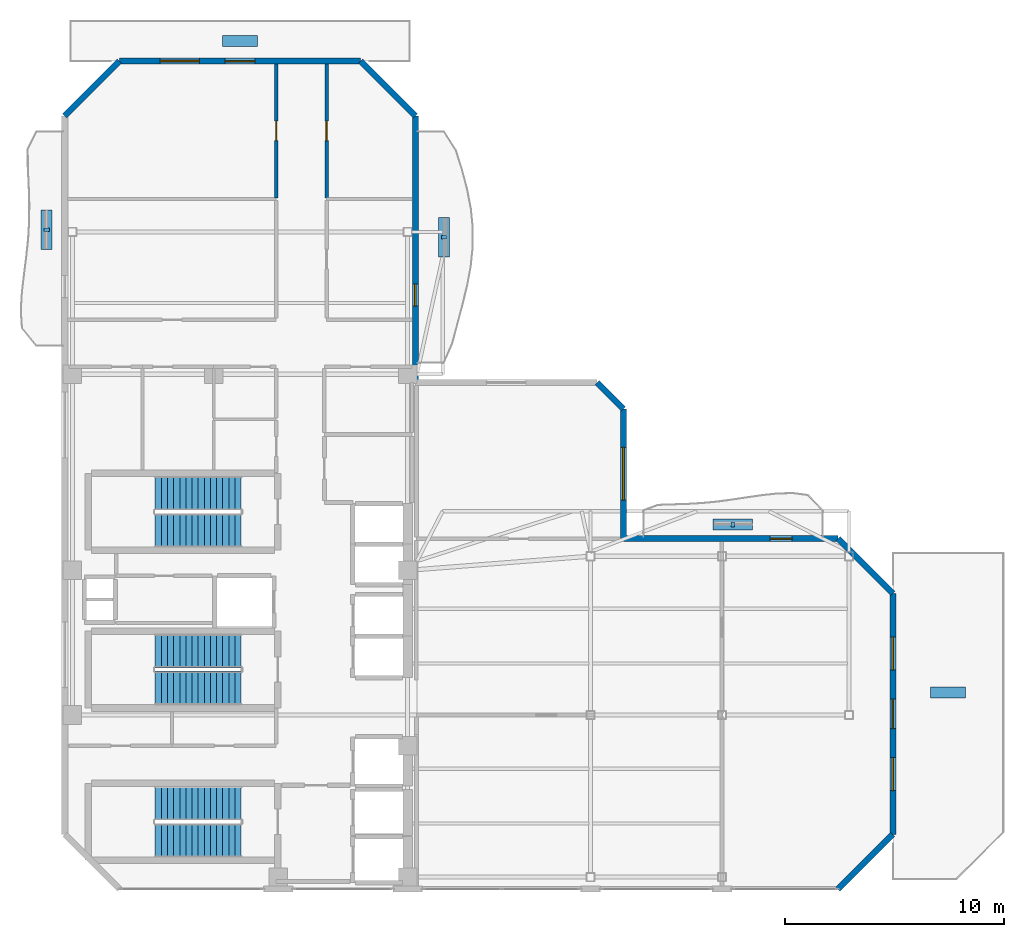
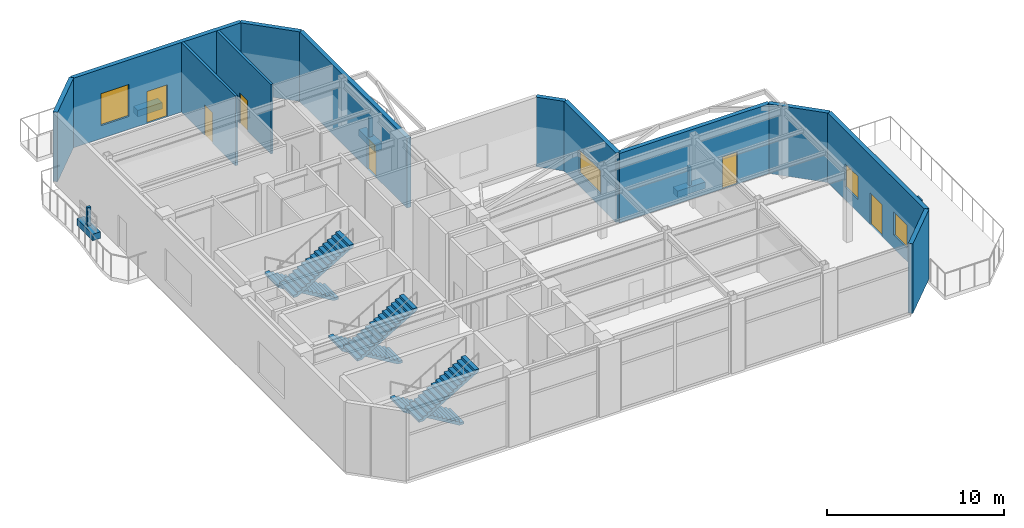
# One storey, part 11 of 14: 12 walls, 8 discrete accessories, 6 doors, 6 stair flights, 4 windows, 10 openings, 3 elements without a shape of their own.
"""IFC4 building model written with IfcOpenShell, lengths in metres."""

from ifc_helpers import new_model, si_unit, direction, frame, frame_2d, origin, origin_2d, place, context, subcontext, project, spatial, polyline, rectangle, outline, extrude, material, layer, layer_set, type_object, element, fill, aggregate, save


model = new_model("IFC4")

# Units and contexts
model_context = context("Model", 3, precision=1e-05, world=origin(), true_north=direction((0.0, 1.0)))
body_context = subcontext(model_context, "Body", "Model", "MODEL_VIEW")
ifc_project = project(units=[si_unit("LENGTHUNIT", "METRE"), si_unit("AREAUNIT", "SQUARE_METRE"), si_unit("VOLUMEUNIT", "CUBIC_METRE"), si_unit("PLANEANGLEUNIT", "RADIAN"), si_unit("MASSUNIT", "GRAM", prefix="KILO")], contexts=[model_context])

# Site, building, storey
site_placement = place(None, origin())
site = spatial("IfcSite", under=ifc_project, at=site_placement, CompositionType="ELEMENT")
building_placement = place(site_placement, origin())
building = spatial("IfcBuilding", under=site, at=building_placement, Name="Mawjaban Terraces University", CompositionType="ELEMENT")
storey_placement = place(building_placement, frame((0.0, 0.0, 243.199951171875)))
storey = spatial("IfcBuildingStorey", under=building, at=storey_placement, Name="L59", CompositionType="ELEMENT", Elevation=243.199951171875)

# Wall, opening, door
ifc_material_1 = material(Name="Fire-rated gypsum board on steel stud", Category="steel")
ifc_layer_1 = layer(ifc_material_1, 0.159912109375)
ifc_layer_set_1 = layer_set([ifc_layer_1], Name="Fire-rated gypsum board on steel stud")
wall_type_1 = type_object("IfcWallType", Name="CorridorPartition_160", PredefinedType="PARTITIONING", material=ifc_layer_set_1)
wall_1_placement = place(storey_placement, frame((31.64990234375, 37.6669921875, 0.0), z_axis=(0.0, 0.0, 1.0), x_axis=(0.0, -1.0, 0.0)))
wall_1 = element("IfcWall", 1, at=wall_1_placement, inside=storey, type_object=wall_type_1, Name="L59 Sky Lobby North Promenade Partition 29", PredefinedType="PARTITIONING", context=body_context, shape_type="SweptSolid", body=[
    extrude(rectangle(XDim=6.10888671875, YDim=0.159912109375, at=frame_2d((3.054443359375, 0.0))), origin(), (0.0, 0.0, 1.0), 4.7900390625),
])
opening_1_placement = place(wall_1_placement, frame((2.60498046875, 0.0, 0.0)))
opening_1 = element("IfcOpeningElement", 2, at=opening_1_placement, cuts=wall_1, Name="Opening ID-090", PredefinedType="OPENING", context=body_context, shape_type="SweptSolid", body=[
    extrude(rectangle(XDim=0.89990234375, YDim=2.10009765625, at=frame_2d((0.449951171875, 1.050048828125))), frame((0.0, 0.08984375, 0.0), z_axis=(0.0, -1.0, 0.0), x_axis=(1.0, 0.0, 0.0)), (0.0, 0.0, 1.0), 0.179931640625),
])
ifc_material_2 = material(Name="Powder-coated steel frame and solid acoustic timber leaf", Category="steel")
door_type_1 = type_object("IfcDoorType", Name="OfficeDoor_900x2100", OperationType="NOTDEFINED", PredefinedType="DOOR", material=ifc_material_2)
door_1_placement = place(opening_1_placement, origin())
door_1 = element("IfcDoor", 3, at=door_1_placement, inside=storey, type_object=door_type_1, Name="L59 Research Fellows Tea Pantry Door", OperationType="SINGLE_SWING_LEFT", OverallHeight=2.10009765625, OverallWidth=0.89990234375, PredefinedType="DOOR", context=body_context, shape_type="SweptSolid", body=[
    extrude(rectangle(XDim=0.89990234375, YDim=2.10009765625, at=frame_2d((0.449951171875, 1.050048828125))), frame((0.0, 0.02490234375, 0.0), z_axis=(0.0, -1.0, 0.0), x_axis=(1.0, 0.0, 0.0)), (0.0, 0.0, 1.0), 0.050048828125),
])
fill(opening_1, door_1)

wall_2_placement = place(storey_placement, frame((33.949951171875, 31.55810546875, 0.0), z_axis=(0.0, 0.0, 1.0), x_axis=(0.0, 1.0, 0.0)))
wall_2 = element("IfcWall", 4, at=wall_2_placement, inside=storey, type_object=wall_type_1, Name="L59 Sky Lobby North Promenade Partition 33", PredefinedType="PARTITIONING", context=body_context, shape_type="SweptSolid", body=[
    extrude(rectangle(XDim=6.10888671875, YDim=0.159912109375, at=frame_2d((3.054443359375, 0.0))), origin(), (0.0, 0.0, 1.0), 4.7900390625),
])
opening_2_placement = place(wall_2_placement, frame((2.60498046875, 0.0, 0.0)))
opening_2 = element("IfcOpeningElement", 5, at=opening_2_placement, cuts=wall_2, Name="Opening ID-090", PredefinedType="OPENING", context=body_context, shape_type="SweptSolid", body=[
    extrude(rectangle(XDim=0.89990234375, YDim=2.10009765625, at=frame_2d((0.449951171875, 1.050048828125))), frame((0.0, 0.08984375, 0.0), z_axis=(0.0, -1.0, 0.0), x_axis=(1.0, 0.0, 0.0)), (0.0, 0.0, 1.0), 0.179931640625),
])
door_2_placement = place(opening_2_placement, origin())
door_2 = element("IfcDoor", 6, at=door_2_placement, inside=storey, type_object=door_type_1, Name="L59 Academic Fellows Office Door", OperationType="SINGLE_SWING_LEFT", OverallHeight=2.10009765625, OverallWidth=0.89990234375, PredefinedType="DOOR", context=body_context, shape_type="SweptSolid", body=[
    extrude(rectangle(XDim=0.89990234375, YDim=2.10009765625, at=frame_2d((0.449951171875, 1.050048828125))), frame((0.0, 0.02490234375, 0.0), z_axis=(0.0, -1.0, 0.0), x_axis=(1.0, 0.0, 0.0)), (0.0, 0.0, 1.0), 0.050048828125),
])
fill(opening_2, door_2)

# Wall
ifc_material_3 = material(Name="Insulated terracotta rainscreen on concrete backup C40/50", Category="masonry")
ifc_layer_2 = layer(ifc_material_3, 0.27490234375)
ifc_layer_set_2 = layer_set([ifc_layer_2], Name="Insulated terracotta rainscreen on concrete backup C40/50")
wall_type_2 = type_object("IfcWallType", Name="ExtTerracottaWall_275", PredefinedType="SOLIDWALL", material=ifc_layer_set_2)
wall_3_placement = place(storey_placement, frame((57.300048828125, 0.0, 0.0), z_axis=(0.0, 0.0, 1.0), x_axis=(0.707106781187, 0.707106781187, 0.0)))
element("IfcWall", 7, at=wall_3_placement, inside=storey, type_object=wall_type_2, Name="L59 Exterior Terracotta Wall 2", PredefinedType="SOLIDWALL", context=body_context, shape_type="SweptSolid", body=[
    extrude(rectangle(XDim=3.53564453125, YDim=0.27490234375, at=frame_2d((1.767822265625, 0.0))), origin(), (0.0, 0.0, 1.0), 4.7900390625),
])

# Wall, openings, door, windows
wall_4_placement = place(storey_placement, frame((59.800048828125, 2.5, 0.0), z_axis=(0.0, 0.0, 1.0), x_axis=(0.0, 1.0, 0.0)))
wall_4 = element("IfcWall", 8, at=wall_4_placement, inside=storey, type_object=wall_type_2, Name="L59 Exterior Terracotta Wall 3", PredefinedType="SOLIDWALL", context=body_context, shape_type="SweptSolid", body=[
    extrude(rectangle(XDim=11.0, YDim=0.27490234375, at=frame_2d((5.5, 0.0))), origin(), (0.0, 0.0, 1.0), 4.7900390625),
])
opening_3_placement = place(wall_4_placement, frame((4.824951171875, 0.0, 0.0)))
opening_3 = element("IfcOpeningElement", 9, at=opening_3_placement, cuts=wall_4, Name="Opening TD-135", PredefinedType="OPENING", context=body_context, shape_type="SweptSolid", body=[
    extrude(rectangle(XDim=1.35009765625, YDim=2.199951171875, at=frame_2d((0.675048828125, 1.10009765625))), frame((0.0, 0.1474609375, 0.0), z_axis=(0.0, -1.0, 0.0), x_axis=(1.0, 0.0, 0.0)), (0.0, 0.0, 1.0), 0.294921875),
])
opening_4_placement = place(wall_4_placement, frame((2.0, 0.0, 0.89990234375)))
opening_4 = element("IfcOpeningElement", 10, at=opening_4_placement, cuts=wall_4, Name="Opening W-02", PredefinedType="OPENING", context=body_context, shape_type="SweptSolid", body=[
    extrude(rectangle(XDim=1.5, YDim=1.60009765625, at=frame_2d((0.75, 0.800048828125))), frame((0.0, 0.1474609375, 0.0), z_axis=(0.0, -1.0, 0.0), x_axis=(1.0, 0.0, 0.0)), (0.0, 0.0, 1.0), 0.294921875),
])
opening_5_placement = place(wall_4_placement, frame((7.5, 0.0, 0.89990234375)))
opening_5 = element("IfcOpeningElement", 11, at=opening_5_placement, cuts=wall_4, Name="Opening W-02", PredefinedType="OPENING", context=body_context, shape_type="SweptSolid", body=[
    extrude(rectangle(XDim=1.5, YDim=1.60009765625, at=frame_2d((0.75, 0.800048828125))), frame((0.0, 0.1474609375, 0.0), z_axis=(0.0, -1.0, 0.0), x_axis=(1.0, 0.0, 0.0)), (0.0, 0.0, 1.0), 0.294921875),
])
ifc_material_4 = material(Name="Thermally broken anodised aluminium and laminated safety glass", Category="aluminium")
door_type_2 = type_object("IfcDoorType", Name="TerraceGlazedDoor_1350x2200", OperationType="NOTDEFINED", PredefinedType="DOOR", material=ifc_material_4)
door_3_placement = place(opening_3_placement, origin())
door_3 = element("IfcDoor", 12, at=door_3_placement, inside=storey, type_object=door_type_2, Name="L59 Terrace Access Door TER-L59-EAST", OperationType="SINGLE_SWING_LEFT", OverallHeight=2.199951171875, OverallWidth=1.35009765625, PredefinedType="DOOR", context=body_context, shape_type="SweptSolid", body=[
    extrude(rectangle(XDim=1.35009765625, YDim=2.199951171875, at=frame_2d((0.675048828125, 1.10009765625))), frame((0.0, 0.02490234375, 0.0), z_axis=(0.0, -1.0, 0.0), x_axis=(1.0, 0.0, 0.0)), (0.0, 0.0, 1.0), 0.050048828125),
])
fill(opening_3, door_3)
ifc_material_5 = material(Name="Low-E solar-control double glazing in thermally broken aluminium frame", Category="aluminium")
window_type_1 = type_object("IfcWindowType", Name="Win_1500x1600", PartitioningType="SINGLE_PANEL", PredefinedType="WINDOW", material=ifc_material_5)
window_1_placement = place(opening_4_placement, origin())
window_1 = element("IfcWindow", 13, at=window_1_placement, inside=storey, type_object=window_type_1, Name="L59 Facade Window 3.1", OverallHeight=1.60009765625, OverallWidth=1.5, PartitioningType="SINGLE_PANEL", PredefinedType="WINDOW", context=body_context, shape_type="SweptSolid", body=[
    extrude(rectangle(XDim=1.5, YDim=1.60009765625, at=frame_2d((0.75, 0.800048828125))), frame((0.0, 0.030029296875, 0.0), z_axis=(0.0, -1.0, 0.0), x_axis=(1.0, 0.0, 0.0)), (0.0, 0.0, 1.0), 0.06005859375),
])
fill(opening_4, window_1)
window_2_placement = place(opening_5_placement, origin())
window_2 = element("IfcWindow", 14, at=window_2_placement, inside=storey, type_object=window_type_1, Name="L59 Facade Window 3.2", OverallHeight=1.60009765625, OverallWidth=1.5, PartitioningType="SINGLE_PANEL", PredefinedType="WINDOW", context=body_context, shape_type="SweptSolid", body=[
    extrude(rectangle(XDim=1.5, YDim=1.60009765625, at=frame_2d((0.75, 0.800048828125))), frame((0.0, 0.030029296875, 0.0), z_axis=(0.0, -1.0, 0.0), x_axis=(1.0, 0.0, 0.0)), (0.0, 0.0, 1.0), 0.06005859375),
])
fill(opening_5, window_2)

# Wall
wall_5_placement = place(storey_placement, frame((59.800048828125, 13.5, 0.0), z_axis=(0.0, 0.0, 1.0), x_axis=(-0.707106781187, 0.707106781187, 0.0)))
element("IfcWall", 15, at=wall_5_placement, inside=storey, type_object=wall_type_2, Name="L59 Exterior Terracotta Wall 4", PredefinedType="SOLIDWALL", context=body_context, shape_type="SweptSolid", body=[
    extrude(rectangle(XDim=3.53564453125, YDim=0.27490234375, at=frame_2d((1.767822265625, 0.0))), origin(), (0.0, 0.0, 1.0), 4.7900390625),
])

# Wall, opening, door
wall_6_placement = place(storey_placement, frame((57.300048828125, 16.0, 0.0), z_axis=(0.0, 0.0, 1.0), x_axis=(-1.0, 0.0, 0.0)))
wall_6 = element("IfcWall", 16, at=wall_6_placement, inside=storey, type_object=wall_type_2, Name="L59 Exterior Terracotta Wall 5", PredefinedType="SOLIDWALL", context=body_context, shape_type="SweptSolid", body=[
    extrude(rectangle(XDim=9.800048828125, YDim=0.27490234375, at=frame_2d((4.89990234375, 0.0))), origin(), (0.0, 0.0, 1.0), 4.7900390625),
])
opening_6_placement = place(wall_6_placement, frame((2.10009765625, 0.0, 0.0)))
opening_6 = element("IfcOpeningElement", 17, at=opening_6_placement, cuts=wall_6, Name="Opening BD-100", PredefinedType="OPENING", context=body_context, shape_type="SweptSolid", body=[
    extrude(rectangle(XDim=1.0, YDim=2.199951171875, at=frame_2d((0.5, 1.10009765625))), frame((0.0, 0.1474609375, 0.0), z_axis=(0.0, -1.0, 0.0), x_axis=(1.0, 0.0, 0.0)), (0.0, 0.0, 1.0), 0.294921875),
])
door_type_3 = type_object("IfcDoorType", Name="BalconyGlazedDoor_1000x2200", OperationType="NOTDEFINED", PredefinedType="DOOR", material=ifc_material_4)
door_4_placement = place(opening_6_placement, origin())
door_4 = element("IfcDoor", 18, at=door_4_placement, inside=storey, type_object=door_type_3, Name="L59 Balcony Access Door inner_north", OperationType="SINGLE_SWING_RIGHT", OverallHeight=2.199951171875, OverallWidth=1.0, PredefinedType="DOOR", context=body_context, shape_type="SweptSolid", body=[
    extrude(rectangle(XDim=1.0, YDim=2.199951171875, at=frame_2d((0.5, 1.10009765625))), frame((0.0, 0.02490234375, 0.0), z_axis=(0.0, -1.0, 0.0), x_axis=(1.0, 0.0, 0.0)), (0.0, 0.0, 1.0), 0.050048828125),
])
fill(opening_6, door_4)

# Wall, opening, window
wall_7_placement = place(storey_placement, frame((47.5, 16.0, 0.0), z_axis=(0.0, 0.0, 1.0), x_axis=(0.0, 1.0, 0.0)))
wall_7 = element("IfcWall", 19, at=wall_7_placement, inside=storey, type_object=wall_type_2, Name="L59 Exterior Terracotta Wall 6", PredefinedType="SOLIDWALL", context=body_context, shape_type="SweptSolid", body=[
    extrude(rectangle(XDim=5.925048828125, YDim=0.27490234375, at=frame_2d((2.96240234375, 0.0))), origin(), (0.0, 0.0, 1.0), 4.7900390625),
])
opening_7_placement = place(wall_7_placement, frame((1.762939453125, 0.0, 0.89990234375)))
opening_7 = element("IfcOpeningElement", 20, at=opening_7_placement, cuts=wall_7, Name="Opening W-05", PredefinedType="OPENING", context=body_context, shape_type="SweptSolid", body=[
    extrude(rectangle(XDim=2.39990234375, YDim=1.60009765625, at=frame_2d((1.199951171875, 0.800048828125))), frame((0.0, 0.1474609375, 0.0), z_axis=(0.0, -1.0, 0.0), x_axis=(1.0, 0.0, 0.0)), (0.0, 0.0, 1.0), 0.294921875),
])
window_type_2 = type_object("IfcWindowType", Name="Win_2400x1600", PartitioningType="SINGLE_PANEL", PredefinedType="WINDOW", material=ifc_material_5)
window_3_placement = place(opening_7_placement, origin())
window_3 = element("IfcWindow", 21, at=window_3_placement, inside=storey, type_object=window_type_2, Name="L59 Facade Window 6.1", OverallHeight=1.60009765625, OverallWidth=2.39990234375, PartitioningType="SINGLE_PANEL", PredefinedType="WINDOW", context=body_context, shape_type="SweptSolid", body=[
    extrude(rectangle(XDim=2.39990234375, YDim=1.60009765625, at=frame_2d((1.199951171875, 0.800048828125))), frame((0.0, 0.030029296875, 0.0), z_axis=(0.0, -1.0, 0.0), x_axis=(1.0, 0.0, 0.0)), (0.0, 0.0, 1.0), 0.06005859375),
])
fill(opening_7, window_3)

# Wall
wall_8_placement = place(storey_placement, frame((47.5, 21.925048828125, 0.0), z_axis=(0.0, 0.0, 1.0), x_axis=(-0.707106781187, 0.707106781187, 0.0)))
element("IfcWall", 22, at=wall_8_placement, inside=storey, type_object=wall_type_2, Name="L59 Exterior Terracotta Wall 7", PredefinedType="SOLIDWALL", context=body_context, shape_type="SweptSolid", body=[
    extrude(rectangle(XDim=1.697021484375, YDim=0.27490234375, at=frame_2d((0.8486328125, 0.0))), origin(), (0.0, 0.0, 1.0), 4.7900390625),
])

# Wall, opening, door
wall_9_placement = place(storey_placement, frame((38.0, 23.125, 0.0), z_axis=(0.0, 0.0, 1.0), x_axis=(0.0, 1.0, 0.0)))
wall_9 = element("IfcWall", 23, at=wall_9_placement, inside=storey, type_object=wall_type_2, Name="L59 Exterior Terracotta Wall 9", PredefinedType="SOLIDWALL", context=body_context, shape_type="SweptSolid", body=[
    extrude(rectangle(XDim=12.175048828125, YDim=0.27490234375, at=frame_2d((6.08740234375, 0.0))), origin(), (0.0, 0.0, 1.0), 4.7900390625),
])
opening_8_placement = place(wall_9_placement, frame((3.487060546875, 0.0, 0.0)))
opening_8 = element("IfcOpeningElement", 24, at=opening_8_placement, cuts=wall_9, Name="Opening BD-100", PredefinedType="OPENING", context=body_context, shape_type="SweptSolid", body=[
    extrude(rectangle(XDim=1.0, YDim=2.199951171875, at=frame_2d((0.5, 1.10009765625))), frame((0.0, 0.1474609375, 0.0), z_axis=(0.0, -1.0, 0.0), x_axis=(1.0, 0.0, 0.0)), (0.0, 0.0, 1.0), 0.294921875),
])
door_5_placement = place(opening_8_placement, origin())
door_5 = element("IfcDoor", 25, at=door_5_placement, inside=storey, type_object=door_type_3, Name="L59 Balcony Access Door inner_east", OperationType="SINGLE_SWING_RIGHT", OverallHeight=2.199951171875, OverallWidth=1.0, PredefinedType="DOOR", context=body_context, shape_type="SweptSolid", body=[
    extrude(rectangle(XDim=1.0, YDim=2.199951171875, at=frame_2d((0.5, 1.10009765625))), frame((0.0, 0.02490234375, 0.0), z_axis=(0.0, -1.0, 0.0), x_axis=(1.0, 0.0, 0.0)), (0.0, 0.0, 1.0), 0.050048828125),
])
fill(opening_8, door_5)

# Wall
wall_10_placement = place(storey_placement, frame((38.0, 35.300048828125, 0.0), z_axis=(0.0, 0.0, 1.0), x_axis=(-0.707106781187, 0.707106781187, 0.0)))
element("IfcWall", 26, at=wall_10_placement, inside=storey, type_object=wall_type_2, Name="L59 Exterior Terracotta Wall 10", PredefinedType="SOLIDWALL", context=body_context, shape_type="SweptSolid", body=[
    extrude(rectangle(XDim=3.53564453125, YDim=0.27490234375, at=frame_2d((1.767822265625, 0.0))), origin(), (0.0, 0.0, 1.0), 4.7900390625),
])

# Wall, openings, door, window
wall_11_placement = place(storey_placement, frame((35.5, 37.800048828125, 0.0), z_axis=(0.0, 0.0, 1.0), x_axis=(-1.0, 0.0, 0.0)))
wall_11 = element("IfcWall", 27, at=wall_11_placement, inside=storey, type_object=wall_type_2, Name="L59 Exterior Terracotta Wall 11", PredefinedType="SOLIDWALL", context=body_context, shape_type="SweptSolid", body=[
    extrude(rectangle(XDim=11.0, YDim=0.27490234375, at=frame_2d((5.5, 0.0))), origin(), (0.0, 0.0, 1.0), 4.7900390625),
])
opening_9_placement = place(wall_11_placement, frame((4.824951171875, 0.0, 0.0)))
opening_9 = element("IfcOpeningElement", 28, at=opening_9_placement, cuts=wall_11, Name="Opening TD-135", PredefinedType="OPENING", context=body_context, shape_type="SweptSolid", body=[
    extrude(rectangle(XDim=1.35009765625, YDim=2.199951171875, at=frame_2d((0.675048828125, 1.10009765625))), frame((0.0, 0.1474609375, 0.0), z_axis=(0.0, -1.0, 0.0), x_axis=(1.0, 0.0, 0.0)), (0.0, 0.0, 1.0), 0.294921875),
])
opening_10_placement = place(wall_11_placement, frame((7.35009765625, 0.0, 0.89990234375)))
opening_10 = element("IfcOpeningElement", 29, at=opening_10_placement, cuts=wall_11, Name="Opening W-10", PredefinedType="OPENING", context=body_context, shape_type="SweptSolid", body=[
    extrude(rectangle(XDim=1.800048828125, YDim=2.199951171875, at=frame_2d((0.89990234375, 1.10009765625))), frame((0.0, 0.1474609375, 0.0), z_axis=(0.0, -1.0, 0.0), x_axis=(1.0, 0.0, 0.0)), (0.0, 0.0, 1.0), 0.294921875),
])
door_6_placement = place(opening_9_placement, origin())
door_6 = element("IfcDoor", 30, at=door_6_placement, inside=storey, type_object=door_type_2, Name="L59 Terrace Access Door TER-L59-NORTH", OperationType="SINGLE_SWING_LEFT", OverallHeight=2.199951171875, OverallWidth=1.35009765625, PredefinedType="DOOR", context=body_context, shape_type="SweptSolid", body=[
    extrude(rectangle(XDim=1.35009765625, YDim=2.199951171875, at=frame_2d((0.675048828125, 1.10009765625))), frame((0.0, 0.02490234375, 0.0), z_axis=(0.0, -1.0, 0.0), x_axis=(1.0, 0.0, 0.0)), (0.0, 0.0, 1.0), 0.050048828125),
])
fill(opening_9, door_6)
window_type_3 = type_object("IfcWindowType", Name="Win_1800x2200", PartitioningType="SINGLE_PANEL", PredefinedType="WINDOW", material=ifc_material_5)
window_4_placement = place(opening_10_placement, origin())
window_4 = element("IfcWindow", 31, at=window_4_placement, inside=storey, type_object=window_type_3, Name="L59 Facade Window 11.2", OverallHeight=2.199951171875, OverallWidth=1.800048828125, PartitioningType="SINGLE_PANEL", PredefinedType="WINDOW", context=body_context, shape_type="SweptSolid", body=[
    extrude(rectangle(XDim=1.800048828125, YDim=2.199951171875, at=frame_2d((0.89990234375, 1.10009765625))), frame((0.0, 0.030029296875, 0.0), z_axis=(0.0, -1.0, 0.0), x_axis=(1.0, 0.0, 0.0)), (0.0, 0.0, 1.0), 0.06005859375),
])
fill(opening_10, window_4)

# Wall
wall_12_placement = place(storey_placement, frame((24.5, 37.800048828125, 0.0), z_axis=(0.0, 0.0, 1.0), x_axis=(-0.707106781187, -0.707106781187, 0.0)))
element("IfcWall", 32, at=wall_12_placement, inside=storey, type_object=wall_type_2, Name="L59 Exterior Terracotta Wall 12", PredefinedType="SOLIDWALL", context=body_context, shape_type="SweptSolid", body=[
    extrude(rectangle(XDim=3.53564453125, YDim=0.27490234375, at=frame_2d((1.767822265625, 0.0))), origin(), (0.0, 0.0, 1.0), 4.7900390625),
])

# Stair, stair flights
ifc_material_6 = material(Name="Concrete C40/50", Category="concrete")
stair_type = type_object("IfcStairType", Name="Stair_Core1550_H50", PredefinedType="HALF_TURN_STAIR", material=ifc_material_6)
stair_1_placement = place(storey_placement, origin())
stair_1 = element("IfcStair", 33, at=stair_1_placement, inside=storey, type_object=stair_type, Name="L59 Core Exit Stair 1", PredefinedType="HALF_TURN_STAIR")
stair_flight_type = type_object("IfcStairFlightType", Name="Flight_Core1550_H50", PredefinedType="STRAIGHT", material=ifc_material_6)
stair_flight_1_placement = place(storey_placement, frame((30.050048828125, 3.925048828125, 0.0), z_axis=(0.0, 0.0, 1.0), x_axis=(-1.0, 0.0, 0.0)))
stair_flight_1 = element("IfcStairFlight", 34, at=stair_flight_1_placement, type_object=stair_flight_type, Name="ST-1 flight 1", NumberOfRisers=15, NumberOfTreads=14, PredefinedType="STRAIGHT", RiserHeight=0.166666667, TreadLength=0.28, context=body_context, shape_type="SweptSolid", body=[
    extrude(outline(polyline([(0.0, 0.0), (0.0, 0.166748046875), (0.280029296875, 0.166748046875), (0.280029296875, 0.333251953125), (0.56005859375, 0.333251953125), (0.56005859375, 0.5), (0.840087890625, 0.5), (0.840087890625, 0.666748046875), (1.1201171875, 0.666748046875), (1.1201171875, 0.833251953125), (1.39990234375, 0.833251953125), (1.39990234375, 1.0), (1.679931640625, 1.0), (1.679931640625, 1.166748046875), (1.9599609375, 1.166748046875), (1.9599609375, 1.333251953125), (2.239990234375, 1.333251953125), (2.239990234375, 1.5), (2.52001953125, 1.5), (2.52001953125, 1.666748046875), (2.800048828125, 1.666748046875), (2.800048828125, 1.833251953125), (3.080078125, 1.833251953125), (3.080078125, 2.0), (3.360107421875, 2.0), (3.360107421875, 2.166748046875), (3.639892578125, 2.166748046875), (3.639892578125, 2.333251953125), (3.919921875, 2.333251953125), (3.919921875, 2.5), (3.919921875, 2.158935546875), (0.29296875, 0.0), (0.0, 0.0)])), frame((0.0, 0.77490234375, 0.0), z_axis=(0.0, -1.0, 0.0), x_axis=(1.0, 0.0, 0.0)), (0.0, 0.0, 1.0), 1.550048828125),
])
stair_flight_2_placement = place(storey_placement, frame((26.1298828125, 2.22509765625, 2.5), z_axis=(0.0, 0.0, 1.0), x_axis=(1.0, 0.0, 0.0)))
stair_flight_2 = element("IfcStairFlight", 35, at=stair_flight_2_placement, type_object=stair_flight_type, Name="ST-1 flight 2", NumberOfRisers=15, NumberOfTreads=14, PredefinedType="STRAIGHT", RiserHeight=0.166666667, TreadLength=0.28, context=body_context, shape_type="SweptSolid", body=[
    extrude(outline(polyline([(0.0, 0.0), (0.0, 0.166748046875), (0.280029296875, 0.166748046875), (0.280029296875, 0.333251953125), (0.56005859375, 0.333251953125), (0.56005859375, 0.5), (0.840087890625, 0.5), (0.840087890625, 0.666748046875), (1.1201171875, 0.666748046875), (1.1201171875, 0.833251953125), (1.39990234375, 0.833251953125), (1.39990234375, 1.0), (1.679931640625, 1.0), (1.679931640625, 1.166748046875), (1.9599609375, 1.166748046875), (1.9599609375, 1.333251953125), (2.239990234375, 1.333251953125), (2.239990234375, 1.5), (2.52001953125, 1.5), (2.52001953125, 1.666748046875), (2.800048828125, 1.666748046875), (2.800048828125, 1.833251953125), (3.080078125, 1.833251953125), (3.080078125, 2.0), (3.360107421875, 2.0), (3.360107421875, 2.166748046875), (3.639892578125, 2.166748046875), (3.639892578125, 2.333251953125), (3.919921875, 2.333251953125), (3.919921875, 2.5), (3.919921875, 2.158935546875), (0.29296875, 0.0), (0.0, 0.0)])), frame((0.0, 0.77490234375, 0.0), z_axis=(0.0, -1.0, 0.0), x_axis=(1.0, 0.0, 0.0)), (0.0, 0.0, 1.0), 1.550048828125),
])
aggregate(stair_1, [stair_flight_1, stair_flight_2])

stair_2_placement = place(storey_placement, origin())
stair_2 = element("IfcStair", 36, at=stair_2_placement, inside=storey, type_object=stair_type, Name="L59 Core Exit Stair 2", PredefinedType="HALF_TURN_STAIR")
stair_flight_3_placement = place(storey_placement, frame((30.050048828125, 18.074951171875, 0.0), z_axis=(0.0, 0.0, 1.0), x_axis=(-1.0, 0.0, 0.0)))
stair_flight_3 = element("IfcStairFlight", 37, at=stair_flight_3_placement, type_object=stair_flight_type, Name="ST-2 flight 1", NumberOfRisers=15, NumberOfTreads=14, PredefinedType="STRAIGHT", RiserHeight=0.166666667, TreadLength=0.28, context=body_context, shape_type="SweptSolid", body=[
    extrude(outline(polyline([(0.0, 0.0), (0.0, 0.166748046875), (0.280029296875, 0.166748046875), (0.280029296875, 0.333251953125), (0.56005859375, 0.333251953125), (0.56005859375, 0.5), (0.840087890625, 0.5), (0.840087890625, 0.666748046875), (1.1201171875, 0.666748046875), (1.1201171875, 0.833251953125), (1.39990234375, 0.833251953125), (1.39990234375, 1.0), (1.679931640625, 1.0), (1.679931640625, 1.166748046875), (1.9599609375, 1.166748046875), (1.9599609375, 1.333251953125), (2.239990234375, 1.333251953125), (2.239990234375, 1.5), (2.52001953125, 1.5), (2.52001953125, 1.666748046875), (2.800048828125, 1.666748046875), (2.800048828125, 1.833251953125), (3.080078125, 1.833251953125), (3.080078125, 2.0), (3.360107421875, 2.0), (3.360107421875, 2.166748046875), (3.639892578125, 2.166748046875), (3.639892578125, 2.333251953125), (3.919921875, 2.333251953125), (3.919921875, 2.5), (3.919921875, 2.158935546875), (0.29296875, 0.0), (0.0, 0.0)])), frame((0.0, 0.77490234375, 0.0), z_axis=(0.0, -1.0, 0.0), x_axis=(1.0, 0.0, 0.0)), (0.0, 0.0, 1.0), 1.550048828125),
])
stair_flight_4_placement = place(storey_placement, frame((26.1298828125, 16.375, 2.5), z_axis=(0.0, 0.0, 1.0), x_axis=(1.0, 0.0, 0.0)))
stair_flight_4 = element("IfcStairFlight", 38, at=stair_flight_4_placement, type_object=stair_flight_type, Name="ST-2 flight 2", NumberOfRisers=15, NumberOfTreads=14, PredefinedType="STRAIGHT", RiserHeight=0.166666667, TreadLength=0.28, context=body_context, shape_type="SweptSolid", body=[
    extrude(outline(polyline([(0.0, 0.0), (0.0, 0.166748046875), (0.280029296875, 0.166748046875), (0.280029296875, 0.333251953125), (0.56005859375, 0.333251953125), (0.56005859375, 0.5), (0.840087890625, 0.5), (0.840087890625, 0.666748046875), (1.1201171875, 0.666748046875), (1.1201171875, 0.833251953125), (1.39990234375, 0.833251953125), (1.39990234375, 1.0), (1.679931640625, 1.0), (1.679931640625, 1.166748046875), (1.9599609375, 1.166748046875), (1.9599609375, 1.333251953125), (2.239990234375, 1.333251953125), (2.239990234375, 1.5), (2.52001953125, 1.5), (2.52001953125, 1.666748046875), (2.800048828125, 1.666748046875), (2.800048828125, 1.833251953125), (3.080078125, 1.833251953125), (3.080078125, 2.0), (3.360107421875, 2.0), (3.360107421875, 2.166748046875), (3.639892578125, 2.166748046875), (3.639892578125, 2.333251953125), (3.919921875, 2.333251953125), (3.919921875, 2.5), (3.919921875, 2.158935546875), (0.29296875, 0.0), (0.0, 0.0)])), frame((0.0, 0.77490234375, 0.0), z_axis=(0.0, -1.0, 0.0), x_axis=(1.0, 0.0, 0.0)), (0.0, 0.0, 1.0), 1.550048828125),
])
aggregate(stair_2, [stair_flight_3, stair_flight_4])

stair_3_placement = place(storey_placement, origin())
stair_3 = element("IfcStair", 39, at=stair_3_placement, inside=storey, type_object=stair_type, Name="L59 Core Exit Stair 3", PredefinedType="HALF_TURN_STAIR")
stair_flight_5_placement = place(storey_placement, frame((30.050048828125, 10.875, 0.0), z_axis=(0.0, 0.0, 1.0), x_axis=(-1.0, 0.0, 0.0)))
stair_flight_5 = element("IfcStairFlight", 40, at=stair_flight_5_placement, type_object=stair_flight_type, Name="ST-3 flight 1", NumberOfRisers=15, NumberOfTreads=14, PredefinedType="STRAIGHT", RiserHeight=0.166666667, TreadLength=0.28, context=body_context, shape_type="SweptSolid", body=[
    extrude(outline(polyline([(0.0, 0.0), (0.0, 0.166748046875), (0.280029296875, 0.166748046875), (0.280029296875, 0.333251953125), (0.56005859375, 0.333251953125), (0.56005859375, 0.5), (0.840087890625, 0.5), (0.840087890625, 0.666748046875), (1.1201171875, 0.666748046875), (1.1201171875, 0.833251953125), (1.39990234375, 0.833251953125), (1.39990234375, 1.0), (1.679931640625, 1.0), (1.679931640625, 1.166748046875), (1.9599609375, 1.166748046875), (1.9599609375, 1.333251953125), (2.239990234375, 1.333251953125), (2.239990234375, 1.5), (2.52001953125, 1.5), (2.52001953125, 1.666748046875), (2.800048828125, 1.666748046875), (2.800048828125, 1.833251953125), (3.080078125, 1.833251953125), (3.080078125, 2.0), (3.360107421875, 2.0), (3.360107421875, 2.166748046875), (3.639892578125, 2.166748046875), (3.639892578125, 2.333251953125), (3.919921875, 2.333251953125), (3.919921875, 2.5), (3.919921875, 2.158935546875), (0.29296875, 0.0), (0.0, 0.0)])), frame((0.0, 0.77490234375, 0.0), z_axis=(0.0, -1.0, 0.0), x_axis=(1.0, 0.0, 0.0)), (0.0, 0.0, 1.0), 1.550048828125),
])
stair_flight_6_placement = place(storey_placement, frame((26.1298828125, 9.175048828125, 2.5), z_axis=(0.0, 0.0, 1.0), x_axis=(1.0, 0.0, 0.0)))
stair_flight_6 = element("IfcStairFlight", 41, at=stair_flight_6_placement, type_object=stair_flight_type, Name="ST-3 flight 2", NumberOfRisers=15, NumberOfTreads=14, PredefinedType="STRAIGHT", RiserHeight=0.166666667, TreadLength=0.28, context=body_context, shape_type="SweptSolid", body=[
    extrude(outline(polyline([(0.0, 0.0), (0.0, 0.166748046875), (0.280029296875, 0.166748046875), (0.280029296875, 0.333251953125), (0.56005859375, 0.333251953125), (0.56005859375, 0.5), (0.840087890625, 0.5), (0.840087890625, 0.666748046875), (1.1201171875, 0.666748046875), (1.1201171875, 0.833251953125), (1.39990234375, 0.833251953125), (1.39990234375, 1.0), (1.679931640625, 1.0), (1.679931640625, 1.166748046875), (1.9599609375, 1.166748046875), (1.9599609375, 1.333251953125), (2.239990234375, 1.333251953125), (2.239990234375, 1.5), (2.52001953125, 1.5), (2.52001953125, 1.666748046875), (2.800048828125, 1.666748046875), (2.800048828125, 1.833251953125), (3.080078125, 1.833251953125), (3.080078125, 2.0), (3.360107421875, 2.0), (3.360107421875, 2.166748046875), (3.639892578125, 2.166748046875), (3.639892578125, 2.333251953125), (3.919921875, 2.333251953125), (3.919921875, 2.5), (3.919921875, 2.158935546875), (0.29296875, 0.0), (0.0, 0.0)])), frame((0.0, 0.77490234375, 0.0), z_axis=(0.0, -1.0, 0.0), x_axis=(1.0, 0.0, 0.0)), (0.0, 0.0, 1.0), 1.550048828125),
])
aggregate(stair_3, [stair_flight_5, stair_flight_6])

# Discrete accessories
ifc_material_7 = material(Name="Stainless steel 316L", Category="steel")
discrete_accessory_type_1 = type_object("IfcDiscreteAccessoryType", Name="FacadeScreenBracket_Steel", PredefinedType="BRACKET", material=ifc_material_7)
for number, where, z_axis, x_axis, name in (
    (42, (21.175048828125, 30.10791015625, 0.419921875), (0.0, 0.0, 1.0), (0.0, 1.0, 0.0), "L59 Balcony Screen Support Bracket west"),
    (43, (52.5, 16.64501953125, 0.419921875), (0.0, 0.0, 1.0), (1.0, 0.0, 0.0), "L59 Balcony Screen Support Bracket inner_north"),
    (44, (39.31103515625, 29.7529296875, 0.419921875), (0.0, 0.0, 1.0), (0.0, 1.0, 0.0), "L59 Balcony Screen Support Bracket inner_east"),
):
    element("IfcDiscreteAccessory", number, at=place(storey_placement, frame(where, z_axis=z_axis, x_axis=x_axis)), inside=storey, type_object=discrete_accessory_type_1, Name=name, PredefinedType="BRACKET", context=body_context, shape_type="SweptSolid", body=[
        extrude(rectangle(XDim=0.159912109375, YDim=0.239990234375, at=origin_2d()), origin(), (0.0, 0.0, 1.0), 1.300048828125),
    ])
ifc_material_8 = material(Name="Precast architectural terracotta planter with engineered planting soil", Category="masonry")
discrete_accessory_type_2 = type_object("IfcDiscreteAccessoryType", Name="IrrigatedPlanterTrough_450", PredefinedType="USERDEFINED", material=ifc_material_8)
for number, where, z_axis, x_axis, name in (
    (45, (21.175048828125, 30.10791015625, -0.0048828125), (0.0, 0.0, 1.0), (0.0, 1.0, 0.0), "L59 Balcony Irrigated Planter west"),
    (46, (52.5, 16.64501953125, -0.0048828125), (0.0, 0.0, 1.0), (1.0, 0.0, 0.0), "L59 Balcony Irrigated Planter inner_north"),
    (47, (39.31103515625, 29.7529296875, -0.0048828125), (0.0, 0.0, 1.0), (0.0, 1.0, 0.0), "L59 Balcony Irrigated Planter inner_east"),
):
    element("IfcDiscreteAccessory", number, at=place(storey_placement, frame(where, z_axis=z_axis, x_axis=x_axis)), inside=storey, type_object=discrete_accessory_type_2, Name=name, ObjectType="PLANTER", PredefinedType="USERDEFINED", context=body_context, shape_type="SweptSolid", body=[
        extrude(rectangle(XDim=1.800048828125, YDim=0.5, at=origin_2d()), origin(), (0.0, 0.0, 1.0), 0.449951171875),
    ])
for number, where, z_axis, x_axis, name in (
    (48, (62.324951171875, 8.97509765625, -0.0048828125), (0.0, 0.0, 1.0), (1.0, 0.0, 0.0), "L59 Terrace Planter TER-L59-EAST"),
    (49, (30.0, 38.72509765625, -0.0048828125), (0.0, 0.0, 1.0), (1.0, 0.0, 0.0), "L59 Terrace Planter TER-L59-NORTH"),
):
    element("IfcDiscreteAccessory", number, at=place(storey_placement, frame(where, z_axis=z_axis, x_axis=x_axis)), inside=storey, type_object=discrete_accessory_type_2, Name=name, ObjectType="PLANTER", PredefinedType="USERDEFINED", context=body_context, shape_type="SweptSolid", body=[
        extrude(rectangle(XDim=1.60009765625, YDim=0.5, at=origin_2d()), origin(), (0.0, 0.0, 1.0), 0.449951171875),
    ])

save(model, "model.ifc")
